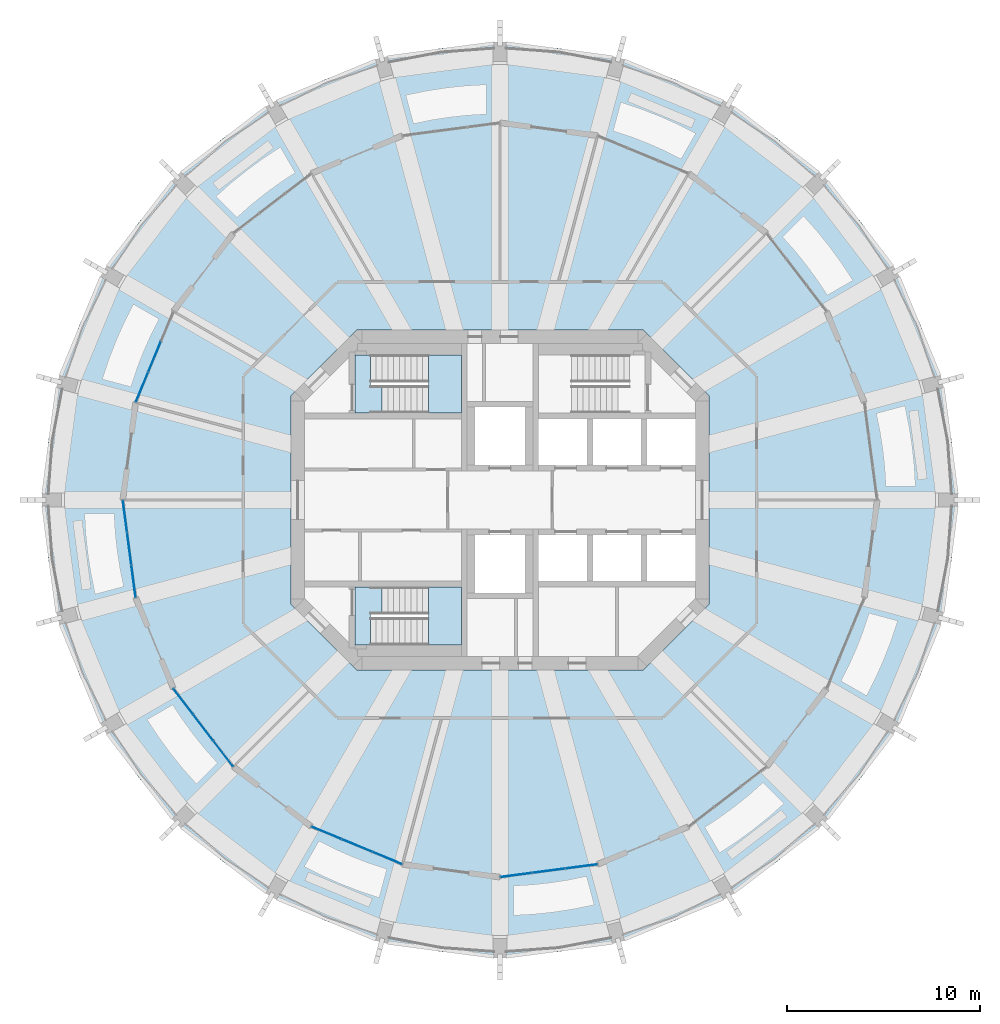
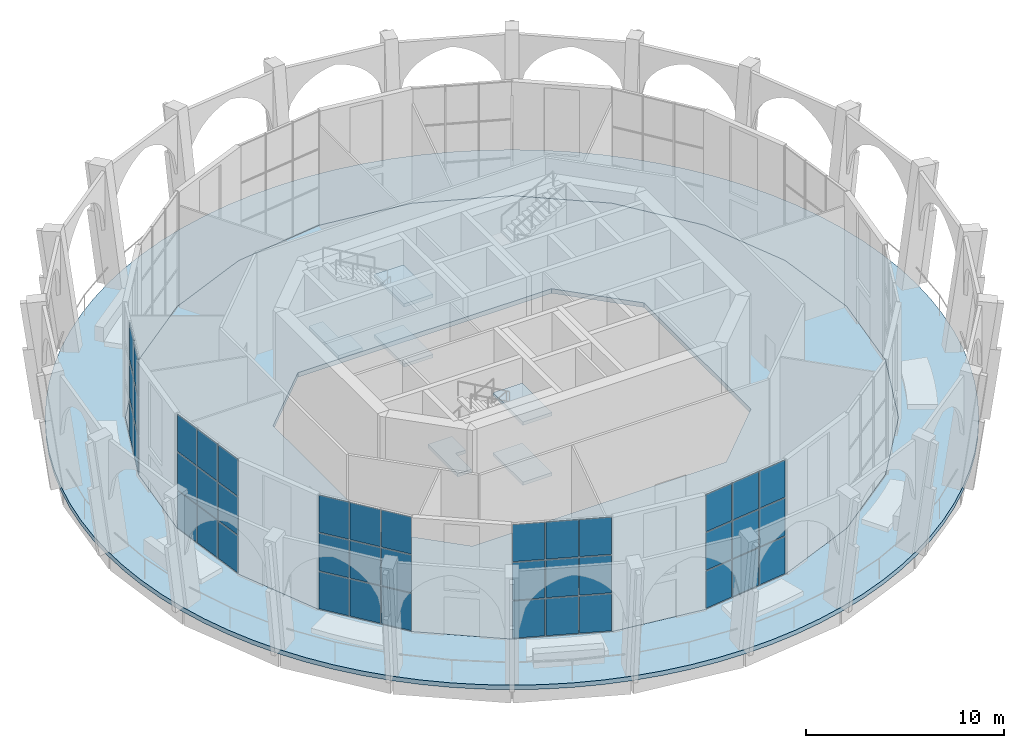
# One storey, part 7 of 16: 42 plates, 8 slabs, 7 elements without a shape of their own.
"""IFC4 building model written with IfcOpenShell, lengths in metres."""

from ifc_helpers import new_model, si_unit, direction, frame, origin, origin_2d, place, context, subcontext, project, spatial, polyline, rectangle, outline, extrude, material, layer, layer_set, type_object, element, aggregate, save


model = new_model("IFC4")

# Units and contexts
model_context = context("Model", 3, precision=1e-05, world=origin(), true_north=direction((0.0, 1.0)))
body_context = subcontext(model_context, "Body", "Model", "MODEL_VIEW")
ifc_project = project(units=[si_unit("LENGTHUNIT", "METRE"), si_unit("AREAUNIT", "SQUARE_METRE"), si_unit("VOLUMEUNIT", "CUBIC_METRE"), si_unit("PLANEANGLEUNIT", "RADIAN"), si_unit("MASSUNIT", "GRAM", prefix="KILO")], contexts=[model_context])

# Site, building, storey
site_placement = place(None, origin())
site = spatial("IfcSite", under=ifc_project, at=site_placement, CompositionType="ELEMENT")
building_placement = place(site_placement, origin())
building = spatial("IfcBuilding", under=site, at=building_placement, Name="Torre Triforio", CompositionType="ELEMENT")
storey_placement = place(building_placement, frame((0.0, 0.0, 218.699951171875)))
storey = spatial("IfcBuildingStorey", under=building, at=storey_placement, Name="L50", CompositionType="ELEMENT", Elevation=218.699951171875)

# Curtain wall, plates
ifc_material_1 = material(Name="Aluminium mullion and transom frame with clear laminated glass", Category="aluminium")
curtain_wall_type = type_object("IfcCurtainWallType", Name="Sky garden conservatory wall ECW3", PredefinedType="NOTDEFINED", material=ifc_material_1)
curtain_wall_1_placement = place(storey_placement, origin())
curtain_wall_1 = element("IfcCurtainWall", 1, at=curtain_wall_1_placement, inside=storey, type_object=curtain_wall_type, Name="Conservatory wall L50 bay 11", PredefinedType="NOTDEFINED")
ifc_material_2 = material(Name="Clear laminated glass", Category="glass")
ifc_layer_1 = layer(ifc_material_2, 0.028076171875)
ifc_layer_set_1 = layer_set([ifc_layer_1], Name="Clear laminated glass")
plate_type = type_object("IfcPlateType", Name="ECW3 glass panel 28", PredefinedType="CURTAIN_PANEL", material=ifc_layer_set_1)
plate_1_placement = place(storey_placement, frame((-17.861572265625, 7.3984375, 0.06005859375), z_axis=(0.0, 0.0, 1.0), x_axis=(-0.382684457334, -0.923879107955, 0.0)))
plate_1 = element("IfcPlate", 2, at=plate_1_placement, type_object=plate_type, Name="ECW3 panel 2.1", PredefinedType="CURTAIN_PANEL", context=body_context, shape_type="SweptSolid", body=[
    extrude(rectangle(XDim=1.65673828125, YDim=0.028076171875, at=origin_2d()), origin(), (0.0, 0.0, 1.0), 2.283203125),
])
plate_2_placement = place(storey_placement, frame((-17.861572265625, 7.3984375, 2.4033203125), z_axis=(0.0, 0.0, 1.0), x_axis=(-0.382684457334, -0.923879107955, 0.0)))
plate_2 = element("IfcPlate", 3, at=plate_2_placement, type_object=plate_type, Name="ECW3 panel 2.2", PredefinedType="CURTAIN_PANEL", context=body_context, shape_type="SweptSolid", body=[
    extrude(rectangle(XDim=1.65673828125, YDim=0.028076171875, at=origin_2d()), origin(), (0.0, 0.0, 1.0), 2.3134765625),
])
plate_3_placement = place(storey_placement, frame((-17.861572265625, 7.3984375, 4.77685546875), z_axis=(0.0, 0.0, 1.0), x_axis=(-0.382684457334, -0.923879107955, 0.0)))
plate_3 = element("IfcPlate", 4, at=plate_3_placement, type_object=plate_type, Name="ECW3 panel 2.3", PredefinedType="CURTAIN_PANEL", context=body_context, shape_type="SweptSolid", body=[
    extrude(rectangle(XDim=1.65673828125, YDim=0.028076171875, at=origin_2d()), origin(), (0.0, 0.0, 1.0), 2.283203125),
])
plate_4_placement = place(storey_placement, frame((-18.5126953125, 5.826171875, 0.06005859375), z_axis=(0.0, 0.0, 1.0), x_axis=(-0.382684457334, -0.923879107955, 0.0)))
plate_4 = element("IfcPlate", 5, at=plate_4_placement, type_object=plate_type, Name="ECW3 panel 3.1", PredefinedType="CURTAIN_PANEL", context=body_context, shape_type="SweptSolid", body=[
    extrude(rectangle(XDim=1.626708984375, YDim=0.028076171875, at=origin_2d()), origin(), (0.0, 0.0, 1.0), 2.283203125),
])
plate_5_placement = place(storey_placement, frame((-18.5126953125, 5.826171875, 2.4033203125), z_axis=(0.0, 0.0, 1.0), x_axis=(-0.382684457334, -0.923879107955, 0.0)))
plate_5 = element("IfcPlate", 6, at=plate_5_placement, type_object=plate_type, Name="ECW3 panel 3.2", PredefinedType="CURTAIN_PANEL", context=body_context, shape_type="SweptSolid", body=[
    extrude(rectangle(XDim=1.626708984375, YDim=0.028076171875, at=origin_2d()), origin(), (0.0, 0.0, 1.0), 2.3134765625),
])
plate_6_placement = place(storey_placement, frame((-18.5126953125, 5.826171875, 4.77685546875), z_axis=(0.0, 0.0, 1.0), x_axis=(-0.382684457334, -0.923879107955, 0.0)))
plate_6 = element("IfcPlate", 7, at=plate_6_placement, type_object=plate_type, Name="ECW3 panel 3.3", PredefinedType="CURTAIN_PANEL", context=body_context, shape_type="SweptSolid", body=[
    extrude(rectangle(XDim=1.626708984375, YDim=0.028076171875, at=origin_2d()), origin(), (0.0, 0.0, 1.0), 2.283203125),
])
aggregate(curtain_wall_1, [plate_1, plate_2, plate_3, plate_4, plate_5, plate_6])

curtain_wall_2_placement = place(storey_placement, origin())
curtain_wall_2 = element("IfcCurtainWall", 8, at=curtain_wall_2_placement, inside=storey, type_object=curtain_wall_type, Name="Conservatory wall L50 bay 13", PredefinedType="NOTDEFINED")
plate_7_placement = place(storey_placement, frame((-19.389892578125, -0.836181640625, 0.06005859375), z_axis=(0.0, 0.0, 1.0), x_axis=(0.130531857834, -0.991444115465, 0.0)))
plate_7 = element("IfcPlate", 9, at=plate_7_placement, type_object=plate_type, Name="ECW3 panel 1.1", PredefinedType="CURTAIN_PANEL", context=body_context, shape_type="SweptSolid", body=[
    extrude(rectangle(XDim=1.626708984375, YDim=0.028076171875, at=origin_2d()), origin(), (0.0, 0.0, 1.0), 2.283203125),
])
plate_8_placement = place(storey_placement, frame((-19.389892578125, -0.836181640625, 2.4033203125), z_axis=(0.0, 0.0, 1.0), x_axis=(0.130531857834, -0.991444115465, 0.0)))
plate_8 = element("IfcPlate", 10, at=plate_8_placement, type_object=plate_type, Name="ECW3 panel 1.2", PredefinedType="CURTAIN_PANEL", context=body_context, shape_type="SweptSolid", body=[
    extrude(rectangle(XDim=1.626708984375, YDim=0.028076171875, at=origin_2d()), origin(), (0.0, 0.0, 1.0), 2.3134765625),
])
plate_9_placement = place(storey_placement, frame((-19.389892578125, -0.836181640625, 4.77685546875), z_axis=(0.0, 0.0, 1.0), x_axis=(0.130531857834, -0.991444115465, 0.0)))
plate_9 = element("IfcPlate", 11, at=plate_9_placement, type_object=plate_type, Name="ECW3 panel 1.3", PredefinedType="CURTAIN_PANEL", context=body_context, shape_type="SweptSolid", body=[
    extrude(rectangle(XDim=1.626708984375, YDim=0.028076171875, at=origin_2d()), origin(), (0.0, 0.0, 1.0), 2.283203125),
])
plate_10_placement = place(storey_placement, frame((-19.167724609375, -2.5234375, 0.06005859375), z_axis=(0.0, 0.0, 1.0), x_axis=(0.130531857834, -0.991444115465, 0.0)))
plate_10 = element("IfcPlate", 12, at=plate_10_placement, type_object=plate_type, Name="ECW3 panel 2.1", PredefinedType="CURTAIN_PANEL", context=body_context, shape_type="SweptSolid", body=[
    extrude(rectangle(XDim=1.65673828125, YDim=0.028076171875, at=origin_2d()), origin(), (0.0, 0.0, 1.0), 2.283203125),
])
plate_11_placement = place(storey_placement, frame((-19.167724609375, -2.5234375, 2.4033203125), z_axis=(0.0, 0.0, 1.0), x_axis=(0.130531857834, -0.991444115465, 0.0)))
plate_11 = element("IfcPlate", 13, at=plate_11_placement, type_object=plate_type, Name="ECW3 panel 2.2", PredefinedType="CURTAIN_PANEL", context=body_context, shape_type="SweptSolid", body=[
    extrude(rectangle(XDim=1.65673828125, YDim=0.028076171875, at=origin_2d()), origin(), (0.0, 0.0, 1.0), 2.3134765625),
])
plate_12_placement = place(storey_placement, frame((-19.167724609375, -2.5234375, 4.77685546875), z_axis=(0.0, 0.0, 1.0), x_axis=(0.130531857834, -0.991444115465, 0.0)))
plate_12 = element("IfcPlate", 14, at=plate_12_placement, type_object=plate_type, Name="ECW3 panel 2.3", PredefinedType="CURTAIN_PANEL", context=body_context, shape_type="SweptSolid", body=[
    extrude(rectangle(XDim=1.65673828125, YDim=0.028076171875, at=origin_2d()), origin(), (0.0, 0.0, 1.0), 2.283203125),
])
plate_13_placement = place(storey_placement, frame((-18.945556640625, -4.210693359375, 0.06005859375), z_axis=(0.0, 0.0, 1.0), x_axis=(0.130531857834, -0.991444115465, 0.0)))
plate_13 = element("IfcPlate", 15, at=plate_13_placement, type_object=plate_type, Name="ECW3 panel 3.1", PredefinedType="CURTAIN_PANEL", context=body_context, shape_type="SweptSolid", body=[
    extrude(rectangle(XDim=1.626708984375, YDim=0.028076171875, at=origin_2d()), origin(), (0.0, 0.0, 1.0), 2.283203125),
])
plate_14_placement = place(storey_placement, frame((-18.945556640625, -4.210693359375, 2.4033203125), z_axis=(0.0, 0.0, 1.0), x_axis=(0.130531857834, -0.991444115465, 0.0)))
plate_14 = element("IfcPlate", 16, at=plate_14_placement, type_object=plate_type, Name="ECW3 panel 3.2", PredefinedType="CURTAIN_PANEL", context=body_context, shape_type="SweptSolid", body=[
    extrude(rectangle(XDim=1.626708984375, YDim=0.028076171875, at=origin_2d()), origin(), (0.0, 0.0, 1.0), 2.3134765625),
])
plate_15_placement = place(storey_placement, frame((-18.945556640625, -4.210693359375, 4.77685546875), z_axis=(0.0, 0.0, 1.0), x_axis=(0.130531857834, -0.991444115465, 0.0)))
plate_15 = element("IfcPlate", 17, at=plate_15_placement, type_object=plate_type, Name="ECW3 panel 3.3", PredefinedType="CURTAIN_PANEL", context=body_context, shape_type="SweptSolid", body=[
    extrude(rectangle(XDim=1.626708984375, YDim=0.028076171875, at=origin_2d()), origin(), (0.0, 0.0, 1.0), 2.283203125),
])
aggregate(curtain_wall_2, [plate_7, plate_8, plate_9, plate_10, plate_11, plate_12, plate_13, plate_14, plate_15])

curtain_wall_3_placement = place(storey_placement, origin())
curtain_wall_3 = element("IfcCurtainWall", 18, at=curtain_wall_3_placement, inside=storey, type_object=curtain_wall_type, Name="Conservatory wall L50 bay 15", PredefinedType="NOTDEFINED")
plate_16_placement = place(storey_placement, frame((-16.3740234375, -10.419189453125, 0.06005859375), z_axis=(0.0, 0.0, 1.0), x_axis=(0.608767351111, -0.793348796067, 0.0)))
plate_16 = element("IfcPlate", 19, at=plate_16_placement, type_object=plate_type, Name="ECW3 panel 1.1", PredefinedType="CURTAIN_PANEL", context=body_context, shape_type="SweptSolid", body=[
    extrude(rectangle(XDim=1.626953125, YDim=0.028076171875, at=origin_2d()), origin(), (0.0, 0.0, 1.0), 2.283203125),
])
plate_17_placement = place(storey_placement, frame((-16.3740234375, -10.419189453125, 2.4033203125), z_axis=(0.0, 0.0, 1.0), x_axis=(0.608767351111, -0.793348796067, 0.0)))
plate_17 = element("IfcPlate", 20, at=plate_17_placement, type_object=plate_type, Name="ECW3 panel 1.2", PredefinedType="CURTAIN_PANEL", context=body_context, shape_type="SweptSolid", body=[
    extrude(rectangle(XDim=1.626953125, YDim=0.028076171875, at=origin_2d()), origin(), (0.0, 0.0, 1.0), 2.3134765625),
])
plate_18_placement = place(storey_placement, frame((-16.3740234375, -10.419189453125, 4.77685546875), z_axis=(0.0, 0.0, 1.0), x_axis=(0.608767351111, -0.793348796067, 0.0)))
plate_18 = element("IfcPlate", 21, at=plate_18_placement, type_object=plate_type, Name="ECW3 panel 1.3", PredefinedType="CURTAIN_PANEL", context=body_context, shape_type="SweptSolid", body=[
    extrude(rectangle(XDim=1.626953125, YDim=0.028076171875, at=origin_2d()), origin(), (0.0, 0.0, 1.0), 2.283203125),
])
plate_19_placement = place(storey_placement, frame((-15.338134765625, -11.769287109375, 0.06005859375), z_axis=(0.0, 0.0, 1.0), x_axis=(0.608767351111, -0.793348796067, 0.0)))
plate_19 = element("IfcPlate", 22, at=plate_19_placement, type_object=plate_type, Name="ECW3 panel 2.1", PredefinedType="CURTAIN_PANEL", context=body_context, shape_type="SweptSolid", body=[
    extrude(rectangle(XDim=1.65673828125, YDim=0.028076171875, at=origin_2d()), origin(), (0.0, 0.0, 1.0), 2.283203125),
])
plate_20_placement = place(storey_placement, frame((-15.338134765625, -11.769287109375, 2.4033203125), z_axis=(0.0, 0.0, 1.0), x_axis=(0.608767351111, -0.793348796067, 0.0)))
plate_20 = element("IfcPlate", 23, at=plate_20_placement, type_object=plate_type, Name="ECW3 panel 2.2", PredefinedType="CURTAIN_PANEL", context=body_context, shape_type="SweptSolid", body=[
    extrude(rectangle(XDim=1.65673828125, YDim=0.028076171875, at=origin_2d()), origin(), (0.0, 0.0, 1.0), 2.3134765625),
])
plate_21_placement = place(storey_placement, frame((-15.338134765625, -11.769287109375, 4.77685546875), z_axis=(0.0, 0.0, 1.0), x_axis=(0.608767351111, -0.793348796067, 0.0)))
plate_21 = element("IfcPlate", 24, at=plate_21_placement, type_object=plate_type, Name="ECW3 panel 2.3", PredefinedType="CURTAIN_PANEL", context=body_context, shape_type="SweptSolid", body=[
    extrude(rectangle(XDim=1.65673828125, YDim=0.028076171875, at=origin_2d()), origin(), (0.0, 0.0, 1.0), 2.283203125),
])
plate_22_placement = place(storey_placement, frame((-14.302001953125, -13.119384765625, 0.06005859375), z_axis=(0.0, 0.0, 1.0), x_axis=(0.608767351111, -0.793348796067, 0.0)))
plate_22 = element("IfcPlate", 25, at=plate_22_placement, type_object=plate_type, Name="ECW3 panel 3.1", PredefinedType="CURTAIN_PANEL", context=body_context, shape_type="SweptSolid", body=[
    extrude(rectangle(XDim=1.626953125, YDim=0.028076171875, at=origin_2d()), origin(), (0.0, 0.0, 1.0), 2.283203125),
])
plate_23_placement = place(storey_placement, frame((-14.302001953125, -13.119384765625, 2.4033203125), z_axis=(0.0, 0.0, 1.0), x_axis=(0.608767351111, -0.793348796067, 0.0)))
plate_23 = element("IfcPlate", 26, at=plate_23_placement, type_object=plate_type, Name="ECW3 panel 3.2", PredefinedType="CURTAIN_PANEL", context=body_context, shape_type="SweptSolid", body=[
    extrude(rectangle(XDim=1.626953125, YDim=0.028076171875, at=origin_2d()), origin(), (0.0, 0.0, 1.0), 2.3134765625),
])
plate_24_placement = place(storey_placement, frame((-14.302001953125, -13.119384765625, 4.77685546875), z_axis=(0.0, 0.0, 1.0), x_axis=(0.608767351111, -0.793348796067, 0.0)))
plate_24 = element("IfcPlate", 27, at=plate_24_placement, type_object=plate_type, Name="ECW3 panel 3.3", PredefinedType="CURTAIN_PANEL", context=body_context, shape_type="SweptSolid", body=[
    extrude(rectangle(XDim=1.626953125, YDim=0.028076171875, at=origin_2d()), origin(), (0.0, 0.0, 1.0), 2.283203125),
])
aggregate(curtain_wall_3, [plate_16, plate_17, plate_18, plate_19, plate_20, plate_21, plate_22, plate_23, plate_24])

curtain_wall_4_placement = place(storey_placement, origin())
curtain_wall_4 = element("IfcCurtainWall", 28, at=curtain_wall_4_placement, inside=storey, type_object=curtain_wall_type, Name="Conservatory wall L50 bay 17", PredefinedType="NOTDEFINED")
plate_25_placement = place(storey_placement, frame((-8.970703125, -17.210205078125, 0.06005859375), z_axis=(0.0, 0.0, 1.0), x_axis=(0.923879107955, -0.382684457334, 0.0)))
plate_25 = element("IfcPlate", 29, at=plate_25_placement, type_object=plate_type, Name="ECW3 panel 1.1", PredefinedType="CURTAIN_PANEL", context=body_context, shape_type="SweptSolid", body=[
    extrude(rectangle(XDim=1.626708984375, YDim=0.028076171875, at=origin_2d()), origin(), (0.0, 0.0, 1.0), 2.283203125),
])
plate_26_placement = place(storey_placement, frame((-8.970703125, -17.210205078125, 2.4033203125), z_axis=(0.0, 0.0, 1.0), x_axis=(0.923879107955, -0.382684457334, 0.0)))
plate_26 = element("IfcPlate", 30, at=plate_26_placement, type_object=plate_type, Name="ECW3 panel 1.2", PredefinedType="CURTAIN_PANEL", context=body_context, shape_type="SweptSolid", body=[
    extrude(rectangle(XDim=1.626708984375, YDim=0.028076171875, at=origin_2d()), origin(), (0.0, 0.0, 1.0), 2.3134765625),
])
plate_27_placement = place(storey_placement, frame((-8.970703125, -17.210205078125, 4.77685546875), z_axis=(0.0, 0.0, 1.0), x_axis=(0.923879107955, -0.382684457334, 0.0)))
plate_27 = element("IfcPlate", 31, at=plate_27_placement, type_object=plate_type, Name="ECW3 panel 1.3", PredefinedType="CURTAIN_PANEL", context=body_context, shape_type="SweptSolid", body=[
    extrude(rectangle(XDim=1.626708984375, YDim=0.028076171875, at=origin_2d()), origin(), (0.0, 0.0, 1.0), 2.283203125),
])
plate_28_placement = place(storey_placement, frame((-7.3984375, -17.861572265625, 0.06005859375), z_axis=(0.0, 0.0, 1.0), x_axis=(0.923879107955, -0.382684457334, 0.0)))
plate_28 = element("IfcPlate", 32, at=plate_28_placement, type_object=plate_type, Name="ECW3 panel 2.1", PredefinedType="CURTAIN_PANEL", context=body_context, shape_type="SweptSolid", body=[
    extrude(rectangle(XDim=1.65673828125, YDim=0.028076171875, at=origin_2d()), origin(), (0.0, 0.0, 1.0), 2.283203125),
])
plate_29_placement = place(storey_placement, frame((-7.3984375, -17.861572265625, 2.4033203125), z_axis=(0.0, 0.0, 1.0), x_axis=(0.923879107955, -0.382684457334, 0.0)))
plate_29 = element("IfcPlate", 33, at=plate_29_placement, type_object=plate_type, Name="ECW3 panel 2.2", PredefinedType="CURTAIN_PANEL", context=body_context, shape_type="SweptSolid", body=[
    extrude(rectangle(XDim=1.65673828125, YDim=0.028076171875, at=origin_2d()), origin(), (0.0, 0.0, 1.0), 2.3134765625),
])
plate_30_placement = place(storey_placement, frame((-7.3984375, -17.861572265625, 4.77685546875), z_axis=(0.0, 0.0, 1.0), x_axis=(0.923879107955, -0.382684457334, 0.0)))
plate_30 = element("IfcPlate", 34, at=plate_30_placement, type_object=plate_type, Name="ECW3 panel 2.3", PredefinedType="CURTAIN_PANEL", context=body_context, shape_type="SweptSolid", body=[
    extrude(rectangle(XDim=1.65673828125, YDim=0.028076171875, at=origin_2d()), origin(), (0.0, 0.0, 1.0), 2.283203125),
])
plate_31_placement = place(storey_placement, frame((-5.826171875, -18.5126953125, 0.06005859375), z_axis=(0.0, 0.0, 1.0), x_axis=(0.923879107955, -0.382684457334, 0.0)))
plate_31 = element("IfcPlate", 35, at=plate_31_placement, type_object=plate_type, Name="ECW3 panel 3.1", PredefinedType="CURTAIN_PANEL", context=body_context, shape_type="SweptSolid", body=[
    extrude(rectangle(XDim=1.626708984375, YDim=0.028076171875, at=origin_2d()), origin(), (0.0, 0.0, 1.0), 2.283203125),
])
plate_32_placement = place(storey_placement, frame((-5.826171875, -18.5126953125, 2.4033203125), z_axis=(0.0, 0.0, 1.0), x_axis=(0.923879107955, -0.382684457334, 0.0)))
plate_32 = element("IfcPlate", 36, at=plate_32_placement, type_object=plate_type, Name="ECW3 panel 3.2", PredefinedType="CURTAIN_PANEL", context=body_context, shape_type="SweptSolid", body=[
    extrude(rectangle(XDim=1.626708984375, YDim=0.028076171875, at=origin_2d()), origin(), (0.0, 0.0, 1.0), 2.3134765625),
])
plate_33_placement = place(storey_placement, frame((-5.826171875, -18.5126953125, 4.77685546875), z_axis=(0.0, 0.0, 1.0), x_axis=(0.923879107955, -0.382684457334, 0.0)))
plate_33 = element("IfcPlate", 37, at=plate_33_placement, type_object=plate_type, Name="ECW3 panel 3.3", PredefinedType="CURTAIN_PANEL", context=body_context, shape_type="SweptSolid", body=[
    extrude(rectangle(XDim=1.626708984375, YDim=0.028076171875, at=origin_2d()), origin(), (0.0, 0.0, 1.0), 2.283203125),
])
aggregate(curtain_wall_4, [plate_25, plate_26, plate_27, plate_28, plate_29, plate_30, plate_31, plate_32, plate_33])

curtain_wall_5_placement = place(storey_placement, origin())
curtain_wall_5 = element("IfcCurtainWall", 38, at=curtain_wall_5_placement, inside=storey, type_object=curtain_wall_type, Name="Conservatory wall L50 bay 19", PredefinedType="NOTDEFINED")
plate_34_placement = place(storey_placement, frame((0.836181640625, -19.389892578125, 0.06005859375), z_axis=(0.0, 0.0, 1.0), x_axis=(0.991444115465, 0.130531857834, 0.0)))
plate_34 = element("IfcPlate", 39, at=plate_34_placement, type_object=plate_type, Name="ECW3 panel 1.1", PredefinedType="CURTAIN_PANEL", context=body_context, shape_type="SweptSolid", body=[
    extrude(rectangle(XDim=1.626708984375, YDim=0.028076171875, at=origin_2d()), origin(), (0.0, 0.0, 1.0), 2.283203125),
])
plate_35_placement = place(storey_placement, frame((0.836181640625, -19.389892578125, 2.4033203125), z_axis=(0.0, 0.0, 1.0), x_axis=(0.991444115465, 0.130531857834, 0.0)))
plate_35 = element("IfcPlate", 40, at=plate_35_placement, type_object=plate_type, Name="ECW3 panel 1.2", PredefinedType="CURTAIN_PANEL", context=body_context, shape_type="SweptSolid", body=[
    extrude(rectangle(XDim=1.626708984375, YDim=0.028076171875, at=origin_2d()), origin(), (0.0, 0.0, 1.0), 2.3134765625),
])
plate_36_placement = place(storey_placement, frame((0.836181640625, -19.389892578125, 4.77685546875), z_axis=(0.0, 0.0, 1.0), x_axis=(0.991444115465, 0.130531857834, 0.0)))
plate_36 = element("IfcPlate", 41, at=plate_36_placement, type_object=plate_type, Name="ECW3 panel 1.3", PredefinedType="CURTAIN_PANEL", context=body_context, shape_type="SweptSolid", body=[
    extrude(rectangle(XDim=1.626708984375, YDim=0.028076171875, at=origin_2d()), origin(), (0.0, 0.0, 1.0), 2.283203125),
])
plate_37_placement = place(storey_placement, frame((2.5234375, -19.167724609375, 0.06005859375), z_axis=(0.0, 0.0, 1.0), x_axis=(0.991444115465, 0.130531857834, 0.0)))
plate_37 = element("IfcPlate", 42, at=plate_37_placement, type_object=plate_type, Name="ECW3 panel 2.1", PredefinedType="CURTAIN_PANEL", context=body_context, shape_type="SweptSolid", body=[
    extrude(rectangle(XDim=1.65673828125, YDim=0.028076171875, at=origin_2d()), origin(), (0.0, 0.0, 1.0), 2.283203125),
])
plate_38_placement = place(storey_placement, frame((2.5234375, -19.167724609375, 2.4033203125), z_axis=(0.0, 0.0, 1.0), x_axis=(0.991444115465, 0.130531857834, 0.0)))
plate_38 = element("IfcPlate", 43, at=plate_38_placement, type_object=plate_type, Name="ECW3 panel 2.2", PredefinedType="CURTAIN_PANEL", context=body_context, shape_type="SweptSolid", body=[
    extrude(rectangle(XDim=1.65673828125, YDim=0.028076171875, at=origin_2d()), origin(), (0.0, 0.0, 1.0), 2.3134765625),
])
plate_39_placement = place(storey_placement, frame((2.5234375, -19.167724609375, 4.77685546875), z_axis=(0.0, 0.0, 1.0), x_axis=(0.991444115465, 0.130531857834, 0.0)))
plate_39 = element("IfcPlate", 44, at=plate_39_placement, type_object=plate_type, Name="ECW3 panel 2.3", PredefinedType="CURTAIN_PANEL", context=body_context, shape_type="SweptSolid", body=[
    extrude(rectangle(XDim=1.65673828125, YDim=0.028076171875, at=origin_2d()), origin(), (0.0, 0.0, 1.0), 2.283203125),
])
plate_40_placement = place(storey_placement, frame((4.210693359375, -18.945556640625, 0.06005859375), z_axis=(0.0, 0.0, 1.0), x_axis=(0.991444115465, 0.130531857834, 0.0)))
plate_40 = element("IfcPlate", 45, at=plate_40_placement, type_object=plate_type, Name="ECW3 panel 3.1", PredefinedType="CURTAIN_PANEL", context=body_context, shape_type="SweptSolid", body=[
    extrude(rectangle(XDim=1.626708984375, YDim=0.028076171875, at=origin_2d()), origin(), (0.0, 0.0, 1.0), 2.283203125),
])
plate_41_placement = place(storey_placement, frame((4.210693359375, -18.945556640625, 2.4033203125), z_axis=(0.0, 0.0, 1.0), x_axis=(0.991444115465, 0.130531857834, 0.0)))
plate_41 = element("IfcPlate", 46, at=plate_41_placement, type_object=plate_type, Name="ECW3 panel 3.2", PredefinedType="CURTAIN_PANEL", context=body_context, shape_type="SweptSolid", body=[
    extrude(rectangle(XDim=1.626708984375, YDim=0.028076171875, at=origin_2d()), origin(), (0.0, 0.0, 1.0), 2.3134765625),
])
plate_42_placement = place(storey_placement, frame((4.210693359375, -18.945556640625, 4.77685546875), z_axis=(0.0, 0.0, 1.0), x_axis=(0.991444115465, 0.130531857834, 0.0)))
plate_42 = element("IfcPlate", 47, at=plate_42_placement, type_object=plate_type, Name="ECW3 panel 3.3", PredefinedType="CURTAIN_PANEL", context=body_context, shape_type="SweptSolid", body=[
    extrude(rectangle(XDim=1.626708984375, YDim=0.028076171875, at=origin_2d()), origin(), (0.0, 0.0, 1.0), 2.283203125),
])
aggregate(curtain_wall_5, [plate_34, plate_35, plate_36, plate_37, plate_38, plate_39, plate_40, plate_41, plate_42])

# Slabs
ifc_material_3 = material(Name="Concrete C40", Category="concrete")
ifc_layer_2 = layer(ifc_material_3, 0.280029296875)
ifc_layer_set_2 = layer_set([ifc_layer_2], Name="Concrete C40")
slab_type_1 = type_object("IfcSlabType", Name="Floor slab 280 C40", PredefinedType="FLOOR", material=ifc_layer_set_2)
slab_1_placement = place(storey_placement, frame((0.0, 0.0, -0.280029296875)))
element("IfcSlab", 48, at=slab_1_placement, inside=storey, type_object=slab_type_1, Name="SL.L50", PredefinedType="FLOOR", context=body_context, shape_type="SweptSolid", body=[
    extrude(outline(polyline([(16.887451171875, -9.75), (18.83544921875, -5.046875), (19.5, 0.0), (18.83544921875, 5.046875), (16.887451171875, 9.75), (13.78857421875, 13.78857421875), (9.75, 16.887451171875), (5.046875, 18.83544921875), (0.0, 19.5), (-5.046875, 18.83544921875), (-9.75, 16.887451171875), (-13.78857421875, 13.78857421875), (-16.887451171875, 9.75), (-18.83544921875, 5.046875), (-19.5, 0.0), (-18.83544921875, -5.046875), (-16.887451171875, -9.75), (-13.78857421875, -13.78857421875), (-9.75, -16.887451171875), (-5.046875, -18.83544921875), (0.0, -19.5), (5.046875, -18.83544921875), (9.75, -16.887451171875), (13.78857421875, -13.78857421875), (16.887451171875, -9.75)]), holes=[polyline([(10.800048828125, 5.389892578125), (10.800048828125, -5.389892578125), (7.389892578125, -8.800048828125), (-7.389892578125, -8.800048828125), (-10.800048828125, -5.389892578125), (-10.800048828125, 5.389892578125), (-7.389892578125, 8.800048828125), (7.389892578125, 8.800048828125), (10.800048828125, 5.389892578125)])]), origin(), (0.0, 0.0, 1.0), 0.280029296875),
])
ifc_layer_3 = layer(ifc_material_3, 0.280029296875)
ifc_layer_set_3 = layer_set([ifc_layer_3], Name="Concrete C40")
slab_type_2 = type_object("IfcSlabType", Name="Loggia slab 280 C40", PredefinedType="FLOOR", material=ifc_layer_set_3)
slab_2_placement = place(storey_placement, frame((0.0, 0.0, -0.280029296875)))
element("IfcSlab", 49, at=slab_2_placement, inside=storey, type_object=slab_type_2, Name="SL.L50.LG", PredefinedType="FLOOR", context=body_context, shape_type="SweptSolid", body=[
    extrude(outline(polyline([(23.49951171875, -1.540283203125), (23.550048828125, 0.0), (23.49951171875, 1.540283203125), (23.3486328125, 3.073974609375), (23.097412109375, 4.594482421875), (22.74755859375, 6.09521484375), (22.30029296875, 7.56982421875), (21.75732421875, 9.01220703125), (21.121337890625, 10.416015625), (20.39501953125, 11.77490234375), (19.5810546875, 13.083740234375), (18.683349609375, 14.33642578125), (17.705810546875, 15.527587890625), (16.65234375, 16.65234375), (15.527587890625, 17.705810546875), (14.33642578125, 18.683349609375), (13.083740234375, 19.5810546875), (11.77490234375, 20.39501953125), (10.416015625, 21.121337890625), (9.01220703125, 21.75732421875), (7.56982421875, 22.30029296875), (6.09521484375, 22.74755859375), (4.594482421875, 23.097412109375), (3.073974609375, 23.3486328125), (1.540283203125, 23.49951171875), (0.0, 23.550048828125), (-1.540283203125, 23.49951171875), (-3.073974609375, 23.3486328125), (-4.594482421875, 23.097412109375), (-6.09521484375, 22.74755859375), (-7.56982421875, 22.30029296875), (-9.01220703125, 21.75732421875), (-10.416015625, 21.121337890625), (-11.77490234375, 20.39501953125), (-13.083740234375, 19.5810546875), (-14.33642578125, 18.683349609375), (-15.527587890625, 17.705810546875), (-16.65234375, 16.65234375), (-17.705810546875, 15.527587890625), (-18.683349609375, 14.33642578125), (-19.5810546875, 13.083740234375), (-20.39501953125, 11.77490234375), (-21.121337890625, 10.416015625), (-21.75732421875, 9.01220703125), (-22.30029296875, 7.56982421875), (-22.74755859375, 6.09521484375), (-23.097412109375, 4.594482421875), (-23.3486328125, 3.073974609375), (-23.49951171875, 1.540283203125), (-23.550048828125, 0.0), (-23.49951171875, -1.540283203125), (-23.3486328125, -3.073974609375), (-23.097412109375, -4.594482421875), (-22.74755859375, -6.09521484375), (-22.30029296875, -7.56982421875), (-21.75732421875, -9.01220703125), (-21.121337890625, -10.416015625), (-20.39501953125, -11.77490234375), (-19.5810546875, -13.083740234375), (-18.683349609375, -14.33642578125), (-17.705810546875, -15.527587890625), (-16.65234375, -16.65234375), (-15.527587890625, -17.705810546875), (-14.33642578125, -18.683349609375), (-13.083740234375, -19.5810546875), (-11.77490234375, -20.39501953125), (-10.416015625, -21.121337890625), (-9.01220703125, -21.75732421875), (-7.56982421875, -22.30029296875), (-6.09521484375, -22.74755859375), (-4.594482421875, -23.097412109375), (-3.073974609375, -23.3486328125), (-1.540283203125, -23.49951171875), (0.0, -23.550048828125), (1.540283203125, -23.49951171875), (3.073974609375, -23.3486328125), (4.594482421875, -23.097412109375), (6.09521484375, -22.74755859375), (7.56982421875, -22.30029296875), (9.01220703125, -21.75732421875), (10.416015625, -21.121337890625), (11.77490234375, -20.39501953125), (13.083740234375, -19.5810546875), (14.33642578125, -18.683349609375), (15.527587890625, -17.705810546875), (16.65234375, -16.65234375), (17.705810546875, -15.527587890625), (18.683349609375, -14.33642578125), (19.5810546875, -13.083740234375), (20.39501953125, -11.77490234375), (21.121337890625, -10.416015625), (21.75732421875, -9.01220703125), (22.30029296875, -7.56982421875), (22.74755859375, -6.09521484375), (23.097412109375, -4.594482421875), (23.3486328125, -3.073974609375), (23.49951171875, -1.540283203125)]), holes=[polyline([(18.83544921875, 5.046875), (19.5, 0.0), (18.83544921875, -5.046875), (16.887451171875, -9.75), (13.78857421875, -13.78857421875), (9.75, -16.887451171875), (5.046875, -18.83544921875), (0.0, -19.5), (-5.046875, -18.83544921875), (-9.75, -16.887451171875), (-13.78857421875, -13.78857421875), (-16.887451171875, -9.75), (-18.83544921875, -5.046875), (-19.5, 0.0), (-18.83544921875, 5.046875), (-16.887451171875, 9.75), (-13.78857421875, 13.78857421875), (-9.75, 16.887451171875), (-5.046875, 18.83544921875), (0.0, 19.5), (5.046875, 18.83544921875), (9.75, 16.887451171875), (13.78857421875, 13.78857421875), (16.887451171875, 9.75), (18.83544921875, 5.046875)])]), origin(), (0.0, 0.0, 1.0), 0.280029296875),
])

# Stair, slabs
stair_type = type_object("IfcStairType", Name="STAIR DOUBLE RETURN", PredefinedType="DOUBLE_RETURN_STAIR", material=ifc_material_3)
stair_1_placement = place(storey_placement, origin())
stair_1 = element("IfcStair", 50, at=stair_1_placement, inside=storey, type_object=stair_type, Name="Exit stair 1", PredefinedType="DOUBLE_RETURN_STAIR")
ifc_layer_4 = layer(ifc_material_3, 0.199951171875)
ifc_layer_set_4 = layer_set([ifc_layer_4], Name="Concrete C40")
slab_type_3 = type_object("IfcSlabType", Name="STAIR LANDING 200", PredefinedType="LANDING", material=ifc_layer_set_4)
slab_3_placement = place(storey_placement, frame((0.0, 0.0, 1.650146484375)))
slab_3 = element("IfcSlab", 51, at=slab_3_placement, type_object=slab_type_3, Name="ST1 landing 1", PredefinedType="LANDING", context=body_context, shape_type="SweptSolid", body=[
    extrude(outline(polyline([(-2.0, 4.5), (-2.0, 7.5), (-3.699951171875, 7.5), (-3.699951171875, 4.5), (-2.0, 4.5)])), origin(), (0.0, 0.0, 1.0), 0.199951171875),
])
slab_4_placement = place(storey_placement, frame((0.0, 0.0, 3.5)))
slab_4 = element("IfcSlab", 52, at=slab_4_placement, type_object=slab_type_3, Name="ST1 landing 2", PredefinedType="LANDING", context=body_context, shape_type="SweptSolid", body=[
    extrude(outline(polyline([(-6.10009765625, 5.89990234375), (-6.10009765625, 4.5), (-6.696044921875, 4.5), (-6.699951171875, 4.5), (-7.5, 4.5), (-7.5, 7.5), (-6.696044921875, 7.5), (-6.696044921875, 5.89990234375), (-6.10009765625, 5.89990234375)])), origin(), (0.0, 0.0, 1.0), 0.199951171875),
])
slab_5_placement = place(storey_placement, frame((0.0, 0.0, 5.35009765625)))
slab_5 = element("IfcSlab", 53, at=slab_5_placement, type_object=slab_type_3, Name="ST1 landing 3", PredefinedType="LANDING", context=body_context, shape_type="SweptSolid", body=[
    extrude(outline(polyline([(-2.0, 4.5), (-2.0, 7.5), (-3.699951171875, 7.5), (-3.699951171875, 4.5), (-2.0, 4.5)])), origin(), (0.0, 0.0, 1.0), 0.199951171875),
])
aggregate(stair_1, [slab_3, slab_4, slab_5])

stair_2_placement = place(storey_placement, origin())
stair_2 = element("IfcStair", 54, at=stair_2_placement, inside=storey, type_object=stair_type, Name="Exit stair 3", PredefinedType="DOUBLE_RETURN_STAIR")
slab_6_placement = place(storey_placement, frame((0.0, 0.0, 1.650146484375)))
slab_6 = element("IfcSlab", 55, at=slab_6_placement, type_object=slab_type_3, Name="ST3 landing 1", PredefinedType="LANDING", context=body_context, shape_type="SweptSolid", body=[
    extrude(outline(polyline([(-2.0, -7.5), (-2.0, -4.5), (-3.699951171875, -4.5), (-3.699951171875, -7.5), (-2.0, -7.5)])), origin(), (0.0, 0.0, 1.0), 0.199951171875),
])
slab_7_placement = place(storey_placement, frame((0.0, 0.0, 3.5)))
slab_7 = element("IfcSlab", 56, at=slab_7_placement, type_object=slab_type_3, Name="ST3 landing 2", PredefinedType="LANDING", context=body_context, shape_type="SweptSolid", body=[
    extrude(outline(polyline([(-6.696044921875, -7.5), (-7.5, -7.5), (-7.5, -4.5), (-6.699951171875, -4.5), (-6.696044921875, -4.5), (-6.10009765625, -4.5), (-6.10009765625, -5.89990234375), (-6.696044921875, -5.89990234375), (-6.696044921875, -7.5)])), origin(), (0.0, 0.0, 1.0), 0.199951171875),
])
slab_8_placement = place(storey_placement, frame((0.0, 0.0, 5.35009765625)))
slab_8 = element("IfcSlab", 57, at=slab_8_placement, type_object=slab_type_3, Name="ST3 landing 3", PredefinedType="LANDING", context=body_context, shape_type="SweptSolid", body=[
    extrude(outline(polyline([(-2.0, -7.5), (-2.0, -4.5), (-3.699951171875, -4.5), (-3.699951171875, -7.5), (-2.0, -7.5)])), origin(), (0.0, 0.0, 1.0), 0.199951171875),
])
aggregate(stair_2, [slab_6, slab_7, slab_8])

save(model, "model.ifc")
